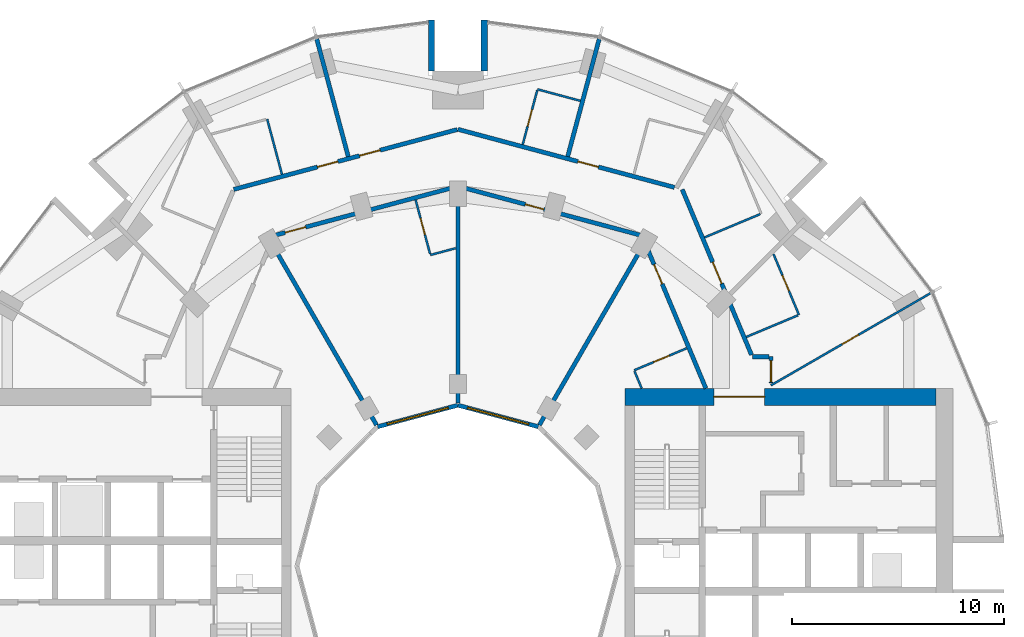
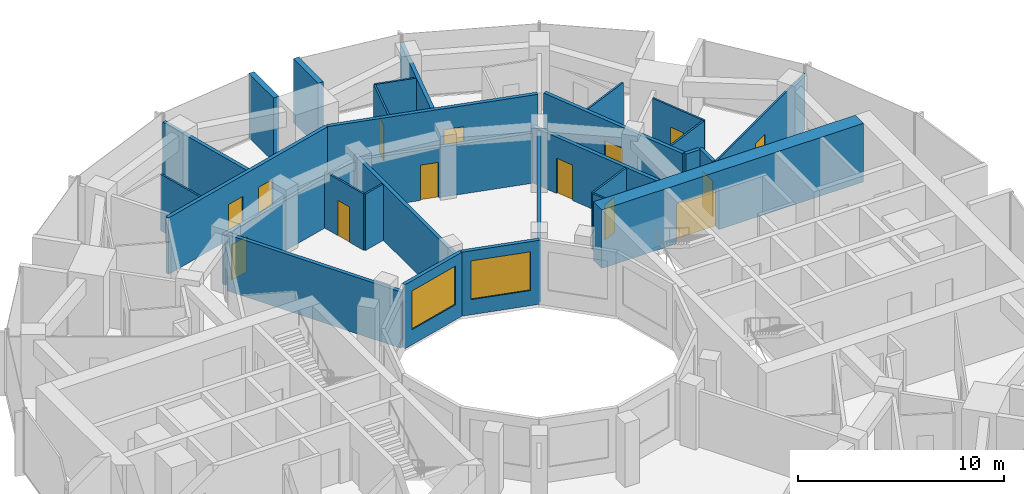
# One storey, part 12 of 15: 29 walls, 14 doors, 2 windows, 16 openings.
"""IFC4 building model written with IfcOpenShell, lengths in metres."""

from ifc_helpers import new_model, si_unit, direction, frame, frame_2d, origin, place, context, subcontext, project, spatial, rectangle, extrude, material, layer, layer_set, type_object, element, fill, save


model = new_model("IFC4")

# Units and contexts
model_context = context("Model", 3, precision=1e-05, world=origin(), true_north=direction((0.0, 1.0)))
body_context = subcontext(model_context, "Body", "Model", "MODEL_VIEW")
ifc_project = project(units=[si_unit("LENGTHUNIT", "METRE"), si_unit("AREAUNIT", "SQUARE_METRE"), si_unit("VOLUMEUNIT", "CUBIC_METRE"), si_unit("PLANEANGLEUNIT", "RADIAN"), si_unit("MASSUNIT", "GRAM", prefix="KILO")], contexts=[model_context])

# Site, building, storey
site_placement = place(None, origin())
site = spatial("IfcSite", under=ifc_project, at=site_placement, CompositionType="ELEMENT")
building_placement = place(site_placement, origin())
building = spatial("IfcBuilding", under=site, at=building_placement, Name="Torre Brocal", CompositionType="ELEMENT")
storey_placement = place(building_placement, frame((0.0, 0.0, 82.39990234375)))
storey = spatial("IfcBuildingStorey", under=building, at=storey_placement, Name="L18", CompositionType="ELEMENT", Elevation=82.39990234375)

# Wall, opening, door
ifc_material_1 = material(Name="Concrete C80", Category="concrete")
ifc_layer_1 = layer(ifc_material_1, 0.800048828125)
ifc_layer_set_1 = layer_set([ifc_layer_1], Name="Concrete C80")
wall_type_1 = type_object("IfcWallType", Name="CORE WALL 800 C80", PredefinedType="SHEAR", material=ifc_layer_set_1)
wall_1_placement = place(storey_placement, frame((87.89990234375, 83.0, 0.0), z_axis=(0.0, 0.0, 1.0), x_axis=(1.0, 0.0, 0.0)))
wall_1 = element("IfcWall", 1, at=wall_1_placement, inside=storey, type_object=wall_type_1, Name="Wall CW800-80", PredefinedType="SHEAR", context=body_context, shape_type="SweptSolid", body=[
    extrude(rectangle(XDim=14.7001953125, YDim=0.800048828125, at=frame_2d((7.35009765625, 0.0))), origin(), (0.0, 0.0, 1.0), 3.47998046875),
])
opening_1_placement = place(wall_1_placement, frame((4.199951171875, 0.0, 0.0)))
opening_1 = element("IfcOpeningElement", 2, at=opening_1_placement, cuts=wall_1, Name="Opening E-D24", PredefinedType="OPENING", context=body_context, shape_type="SweptSolid", body=[
    extrude(rectangle(XDim=2.39990234375, YDim=2.39990234375, at=frame_2d((1.199951171875, 1.199951171875))), frame((0.0, 0.409912109375, 0.0), z_axis=(0.0, -1.0, 0.0), x_axis=(1.0, 0.0, 0.0)), (0.0, 0.0, 1.0), 0.820068359375),
])
ifc_material_2 = material(Name="Steel A653", Category="steel")
door_type_1 = type_object("IfcDoorType", Name="DOUBLE FIRE DOOR FD90 2400X2400", OperationType="DOUBLE_DOOR_SINGLE_SWING", PredefinedType="DOOR", material=ifc_material_2)
door_1_placement = place(opening_1_placement, frame((2.39990234375, 0.0, 0.0), z_axis=(0.0, 0.0, 1.0), x_axis=(-1.0, 0.0, 0.0)))
door_1 = element("IfcDoor", 3, at=door_1_placement, inside=storey, type_object=door_type_1, Name="Door E-D24", OperationType="DOUBLE_DOOR_SINGLE_SWING", OverallHeight=2.39990234375, OverallWidth=2.39990234375, PredefinedType="DOOR", context=body_context, shape_type="SweptSolid", body=[
    extrude(rectangle(XDim=2.39990234375, YDim=2.39990234375, at=frame_2d((1.199951171875, 1.199951171875))), frame((0.0, 0.02490234375, 0.0), z_axis=(0.0, -1.0, 0.0), x_axis=(1.0, 0.0, 0.0)), (0.0, 0.0, 1.0), 0.050048828125),
])
fill(opening_1, door_1)

# Walls
ifc_material_3 = material(Name="Concrete C80", Category="concrete")
ifc_layer_2 = layer(ifc_material_3, 0.300048828125)
ifc_layer_set_2 = layer_set([ifc_layer_2], Name="Concrete C80")
wall_type_2 = type_object("IfcWallType", Name="NOTCH RETURN WALL 300 C80", PredefinedType="NOTDEFINED", material=ifc_layer_set_2)
for number, where, z_axis, x_axis, name in (
    (4, (81.25, 98.39990234375, 0.0), (0.0, 0.0, 1.0), (0.0, 1.0, 0.0), "NOTCH RETURN WALL"),
    (5, (78.75, 98.39990234375, 0.0), (0.0, 0.0, 1.0), (0.0, 1.0, 0.0), "NOTCH RETURN WALL"),
):
    element("IfcWall", number, at=place(storey_placement, frame(where, z_axis=z_axis, x_axis=x_axis)), inside=storey, type_object=wall_type_2, Name=name, PredefinedType="NOTDEFINED", context=body_context, shape_type="SweptSolid", body=[
        extrude(rectangle(XDim=2.415771484375, YDim=0.300048828125, at=frame_2d((1.2080078125, 0.0))), origin(), (0.0, 0.0, 1.0), 3.800048828125),
    ])
ifc_material_4 = material(Name="Gypsum board", Category="Gypsum")
ifc_layer_3 = layer(ifc_material_4, 0.10009765625)
ifc_layer_set_3 = layer_set([ifc_layer_3], Name="Gypsum board")
wall_type_3 = type_object("IfcWallType", Name="PARTITION 100", PredefinedType="PARTITIONING", material=ifc_layer_set_3)
wall_2_placement = place(storey_placement, frame((70.98095703125, 96.1279296875, 0.0), z_axis=(0.0, 0.0, 1.0), x_axis=(0.25867580527, -0.965964195904, 0.0)))
element("IfcWall", 6, at=wall_2_placement, inside=storey, type_object=wall_type_3, Name="BATHROOM WALL", PredefinedType="PARTITIONING", context=body_context, shape_type="SweptSolid", body=[
    extrude(rectangle(XDim=2.69921875, YDim=0.10009765625, at=frame_2d((1.349609375, 0.0))), origin(), (0.0, 0.0, 1.0), 3.35009765625),
])

# Wall, opening, door
wall_3_placement = place(storey_placement, frame((77.997802734375, 92.314208984375, 0.0), z_axis=(0.0, 0.0, 1.0), x_axis=(0.258608674509, -0.965982170368, 0.0)))
wall_3 = element("IfcWall", 7, at=wall_3_placement, inside=storey, type_object=wall_type_3, Name="BATHROOM WALL", PredefinedType="PARTITIONING", context=body_context, shape_type="SweptSolid", body=[
    extrude(rectangle(XDim=2.64990234375, YDim=0.10009765625, at=frame_2d((1.324951171875, 0.0))), origin(), (0.0, 0.0, 1.0), 3.35009765625),
])
opening_2_placement = place(wall_3_placement, frame((0.89990234375, 0.0, 0.0)))
opening_2 = element("IfcOpeningElement", 8, at=opening_2_placement, cuts=wall_3, Name="Opening H05-D21", PredefinedType="OPENING", context=body_context, shape_type="SweptSolid", body=[
    extrude(rectangle(XDim=0.800048828125, YDim=2.10009765625, at=frame_2d((0.39990234375, 1.050048828125))), frame((0.0, 0.06005859375, 0.0), z_axis=(0.0, -1.0, 0.0), x_axis=(1.0, 0.0, 0.0)), (0.0, 0.0, 1.0), 0.1201171875),
])
ifc_material_5 = material(Name="Timber", Category="wood")
door_type_2 = type_object("IfcDoorType", Name="BATHROOM DOOR 800X2100", OperationType="SINGLE_SWING_LEFT", PredefinedType="DOOR", material=ifc_material_5)
door_2_placement = place(opening_2_placement, origin())
door_2 = element("IfcDoor", 9, at=door_2_placement, inside=storey, type_object=door_type_2, Name="H05-D21", OperationType="SINGLE_SWING_LEFT", OverallHeight=2.10009765625, OverallWidth=0.800048828125, PredefinedType="DOOR", context=body_context, shape_type="SweptSolid", body=[
    extrude(rectangle(XDim=0.800048828125, YDim=2.10009765625, at=frame_2d((0.39990234375, 1.050048828125))), frame((0.0, 0.02490234375, 0.0), z_axis=(0.0, -1.0, 0.0), x_axis=(1.0, 0.0, 0.0)), (0.0, 0.0, 1.0), 0.050048828125),
])
fill(opening_2, door_2)

# Wall
wall_4_placement = place(storey_placement, frame((78.696044921875, 89.7060546875, 0.0), z_axis=(0.0, 0.0, 1.0), x_axis=(0.966002513606, 0.258532674351, 0.0)))
element("IfcWall", 10, at=wall_4_placement, inside=storey, type_object=wall_type_3, Name="BATHROOM WALL", PredefinedType="PARTITIONING", context=body_context, shape_type="SweptSolid", body=[
    extrude(rectangle(XDim=1.239990234375, YDim=0.10009765625, at=frame_2d((0.6201171875, 0.0))), origin(), (0.0, 0.0, 1.0), 3.35009765625),
])

# Wall, opening, door
wall_5_placement = place(storey_placement, frame((83.06201171875, 94.92919921875, 0.0), z_axis=(0.0, 0.0, 1.0), x_axis=(0.258889588814, 0.965906921398, 0.0)))
wall_5 = element("IfcWall", 11, at=wall_5_placement, inside=storey, type_object=wall_type_3, Name="BATHROOM WALL", PredefinedType="PARTITIONING", context=body_context, shape_type="SweptSolid", body=[
    extrude(rectangle(XDim=2.64990234375, YDim=0.10009765625, at=frame_2d((1.324951171875, 0.0))), origin(), (0.0, 0.0, 1.0), 3.35009765625),
])
opening_3_placement = place(wall_5_placement, frame((0.899658203125, 0.0, 0.0)))
opening_3 = element("IfcOpeningElement", 12, at=opening_3_placement, cuts=wall_5, Name="Opening H05-D09", PredefinedType="OPENING", context=body_context, shape_type="SweptSolid", body=[
    extrude(rectangle(XDim=0.800048828125, YDim=2.10009765625, at=frame_2d((0.39990234375, 1.050048828125))), frame((0.0, 0.06005859375, 0.0), z_axis=(0.0, -1.0, 0.0), x_axis=(1.0, 0.0, 0.0)), (0.0, 0.0, 1.0), 0.1201171875),
])
door_3_placement = place(opening_3_placement, frame((0.800048828125, 0.0, 0.0), z_axis=(0.0, 0.0, 1.0), x_axis=(-1.0, 0.0, 0.0)))
door_3 = element("IfcDoor", 13, at=door_3_placement, inside=storey, type_object=door_type_2, Name="H05-D09", OperationType="SINGLE_SWING_RIGHT", OverallHeight=2.10009765625, OverallWidth=0.800048828125, PredefinedType="DOOR", context=body_context, shape_type="SweptSolid", body=[
    extrude(rectangle(XDim=0.800048828125, YDim=2.10009765625, at=frame_2d((0.39990234375, 1.050048828125))), frame((0.0, 0.02490234375, 0.0), z_axis=(0.0, -1.0, 0.0), x_axis=(1.0, 0.0, 0.0)), (0.0, 0.0, 1.0), 0.050048828125),
])
fill(opening_3, door_3)

# Walls
wall_6_placement = place(storey_placement, frame((83.76123046875, 97.53759765625, 0.0), z_axis=(0.0, 0.0, 1.0), x_axis=(0.965871218513, -0.259022758166, 0.0)))
element("IfcWall", 14, at=wall_6_placement, inside=storey, type_object=wall_type_3, Name="BATHROOM WALL", PredefinedType="PARTITIONING", context=body_context, shape_type="SweptSolid", body=[
    extrude(rectangle(XDim=2.10009765625, YDim=0.10009765625, at=frame_2d((1.050048828125, 0.0))), origin(), (0.0, 0.0, 1.0), 3.35009765625),
])
wall_7_placement = place(storey_placement, frame((88.348388671875, 84.208984375, 0.0), z_axis=(0.0, 0.0, 1.0), x_axis=(0.386077497504, -0.922466349479, 0.0)))
element("IfcWall", 15, at=wall_7_placement, inside=storey, type_object=wall_type_3, Name="BATHROOM WALL", PredefinedType="PARTITIONING", context=body_context, shape_type="SweptSolid", body=[
    extrude(rectangle(XDim=0.877197265625, YDim=0.10009765625, at=frame_2d((0.4384765625, 0.0))), origin(), (0.0, 0.0, 1.0), 3.35009765625),
])

# Wall, opening, door
wall_8_placement = place(storey_placement, frame((88.3291015625, 84.2548828125, 0.0), z_axis=(0.0, 0.0, 1.0), x_axis=(0.922320663728, 0.386425404522, 0.0)))
wall_8 = element("IfcWall", 16, at=wall_8_placement, inside=storey, type_object=wall_type_3, Name="BATHROOM WALL", PredefinedType="PARTITIONING", context=body_context, shape_type="SweptSolid", body=[
    extrude(rectangle(XDim=2.690185546875, YDim=0.10009765625, at=frame_2d((1.34521484375, 0.0))), origin(), (0.0, 0.0, 1.0), 3.35009765625),
])
opening_4_placement = place(wall_8_placement, frame((1.000244140625, 0.0, 0.0)))
opening_4 = element("IfcOpeningElement", 17, at=opening_4_placement, cuts=wall_8, Name="Opening H05-D18", PredefinedType="OPENING", context=body_context, shape_type="SweptSolid", body=[
    extrude(rectangle(XDim=0.800048828125, YDim=2.10009765625, at=frame_2d((0.39990234375, 1.050048828125))), frame((0.0, 0.06005859375, 0.0), z_axis=(0.0, -1.0, 0.0), x_axis=(1.0, 0.0, 0.0)), (0.0, 0.0, 1.0), 0.1201171875),
])
door_4_placement = place(opening_4_placement, frame((0.800048828125, 0.0, 0.0), z_axis=(0.0, 0.0, 1.0), x_axis=(-1.0, 0.0, 0.0)))
door_4 = element("IfcDoor", 18, at=door_4_placement, inside=storey, type_object=door_type_2, Name="H05-D18", OperationType="SINGLE_SWING_LEFT", OverallHeight=2.10009765625, OverallWidth=0.800048828125, PredefinedType="DOOR", context=body_context, shape_type="SweptSolid", body=[
    extrude(rectangle(XDim=0.800048828125, YDim=2.10009765625, at=frame_2d((0.39990234375, 1.050048828125))), frame((0.0, 0.02490234375, 0.0), z_axis=(0.0, -1.0, 0.0), x_axis=(1.0, 0.0, 0.0)), (0.0, 0.0, 1.0), 0.050048828125),
])
fill(opening_4, door_4)

# Walls
wall_9_placement = place(storey_placement, frame((91.6611328125, 90.53759765625, 0.0), z_axis=(0.0, 0.0, 1.0), x_axis=(0.922352973625, 0.386348278169, 0.0)))
element("IfcWall", 19, at=wall_9_placement, inside=storey, type_object=wall_type_3, Name="BATHROOM WALL", PredefinedType="PARTITIONING", context=body_context, shape_type="SweptSolid", body=[
    extrude(rectangle(XDim=2.849853515625, YDim=0.10009765625, at=frame_2d((1.4248046875, 0.0))), origin(), (0.0, 0.0, 1.0), 3.35009765625),
])
wall_10_placement = place(storey_placement, frame((93.632568359375, 85.830810546875, 0.0), z_axis=(0.0, 0.0, 1.0), x_axis=(0.922344808264, 0.38636777126, 0.0)))
element("IfcWall", 20, at=wall_10_placement, inside=storey, type_object=wall_type_3, Name="BATHROOM WALL", PredefinedType="PARTITIONING", context=body_context, shape_type="SweptSolid", body=[
    extrude(rectangle(XDim=2.650146484375, YDim=0.10009765625, at=frame_2d((1.3251953125, 0.0))), origin(), (0.0, 0.0, 1.0), 3.35009765625),
])

# Wall, opening, door
wall_11_placement = place(storey_placement, frame((94.800048828125, 83.544921875, 0.0), z_axis=(0.0, 0.0, 1.0), x_axis=(0.86602264145, 0.500004784474, 0.0)))
wall_11 = element("IfcWall", 21, at=wall_11_placement, inside=storey, type_object=wall_type_3, Name="ROOM PARTITION", PredefinedType="PARTITIONING", context=body_context, shape_type="SweptSolid", body=[
    extrude(rectangle(XDim=8.7080078125, YDim=0.10009765625, at=frame_2d((4.35400390625, 0.0))), origin(), (0.0, 0.0, 1.0), 3.35009765625),
])
opening_5_placement = place(wall_11_placement, frame((3.87890625, 0.0, 0.0)))
opening_5 = element("IfcOpeningElement", 22, at=opening_5_placement, cuts=wall_11, Name="Opening H05-D03", PredefinedType="OPENING", context=body_context, shape_type="SweptSolid", body=[
    extrude(rectangle(XDim=0.89990234375, YDim=2.10009765625, at=frame_2d((0.449951171875, 1.050048828125))), frame((0.0, 0.06005859375, 0.0), z_axis=(0.0, -1.0, 0.0), x_axis=(1.0, 0.0, 0.0)), (0.0, 0.0, 1.0), 0.1201171875),
])
ifc_material_6 = material(Name="Timber", Category="wood")
door_type_3 = type_object("IfcDoorType", Name="ROOM DOOR 900X2100", OperationType="SINGLE_SWING_LEFT", PredefinedType="DOOR", material=ifc_material_6)
door_5_placement = place(opening_5_placement, frame((0.89990234375, 0.0, 0.0), z_axis=(0.0, 0.0, 1.0), x_axis=(-1.0, 0.0, 0.0)))
door_5 = element("IfcDoor", 23, at=door_5_placement, inside=storey, type_object=door_type_3, Name="H05-D03", OperationType="SINGLE_SWING_RIGHT", OverallHeight=2.10009765625, OverallWidth=0.89990234375, PredefinedType="DOOR", context=body_context, shape_type="SweptSolid", body=[
    extrude(rectangle(XDim=0.89990234375, YDim=2.10009765625, at=frame_2d((0.449951171875, 1.050048828125))), frame((0.0, 0.02490234375, 0.0), z_axis=(0.0, -1.0, 0.0), x_axis=(1.0, 0.0, 0.0)), (0.0, 0.0, 1.0), 0.050048828125),
])
fill(opening_5, door_5)

wall_12_placement = place(storey_placement, frame((94.919189453125, 89.748046875, 0.0), z_axis=(0.0, 0.0, 1.0), x_axis=(0.38635048828, -0.922352047868, 0.0)))
wall_12 = element("IfcWall", 24, at=wall_12_placement, inside=storey, type_object=wall_type_3, Name="BATHROOM WALL", PredefinedType="PARTITIONING", context=body_context, shape_type="SweptSolid", body=[
    extrude(rectangle(XDim=3.115966796875, YDim=0.10009765625, at=frame_2d((1.55810546875, 0.0))), origin(), (0.0, 0.0, 1.0), 3.35009765625),
])
opening_6_placement = place(wall_12_placement, frame((1.093017578125, 0.0, 0.0)))
opening_6 = element("IfcOpeningElement", 25, at=opening_6_placement, cuts=wall_12, Name="Opening H05-D02", PredefinedType="OPENING", context=body_context, shape_type="SweptSolid", body=[
    extrude(rectangle(XDim=0.800048828125, YDim=2.10009765625, at=frame_2d((0.39990234375, 1.050048828125))), frame((0.0, 0.06005859375, 0.0), z_axis=(0.0, -1.0, 0.0), x_axis=(1.0, 0.0, 0.0)), (0.0, 0.0, 1.0), 0.1201171875),
])
door_6_placement = place(opening_6_placement, frame((0.800048828125, 0.0, 0.0), z_axis=(0.0, 0.0, 1.0), x_axis=(-1.0, 0.0, 0.0)))
door_6 = element("IfcDoor", 26, at=door_6_placement, inside=storey, type_object=door_type_2, Name="H05-D02", OperationType="SINGLE_SWING_RIGHT", OverallHeight=2.10009765625, OverallWidth=0.800048828125, PredefinedType="DOOR", context=body_context, shape_type="SweptSolid", body=[
    extrude(rectangle(XDim=0.800048828125, YDim=2.10009765625, at=frame_2d((0.39990234375, 1.050048828125))), frame((0.0, 0.02490234375, 0.0), z_axis=(0.0, -1.0, 0.0), x_axis=(1.0, 0.0, 0.0)), (0.0, 0.0, 1.0), 0.050048828125),
])
fill(opening_6, door_6)

# Wall, openings, doors
ifc_material_7 = material(Name="Gypsum board", Category="Gypsum")
ifc_layer_4 = layer(ifc_material_7, 0.199951171875)
ifc_layer_set_4 = layer_set([ifc_layer_4], Name="Gypsum board")
wall_type_4 = type_object("IfcWallType", Name="PARTITION 200 EI60", PredefinedType="PARTITIONING", material=ifc_layer_set_4)
wall_13_placement = place(storey_placement, frame((69.39697265625, 92.805419921875, 0.0), z_axis=(0.0, 0.0, 1.0), x_axis=(0.96596468683, 0.258673972015, 0.0)))
wall_13 = element("IfcWall", 27, at=wall_13_placement, inside=storey, type_object=wall_type_4, Name="GUESTROOM CORRIDOR WALL", PredefinedType="PARTITIONING", context=body_context, shape_type="SweptSolid", body=[
    extrude(rectangle(XDim=10.93701171875, YDim=0.199951171875, at=frame_2d((5.468505859375, 0.0))), origin(), (0.0, 0.0, 1.0), 3.35009765625),
])
opening_7_placement = place(wall_13_placement, frame((6.163330078125, 0.0, 0.0)))
opening_7 = element("IfcOpeningElement", 28, at=opening_7_placement, cuts=wall_13, Name="Opening H05-D08", PredefinedType="OPENING", context=body_context, shape_type="SweptSolid", body=[
    extrude(rectangle(XDim=1.0, YDim=2.10009765625, at=frame_2d((0.5, 1.050048828125))), frame((0.0, 0.10986328125, 0.0), z_axis=(0.0, -1.0, 0.0), x_axis=(1.0, 0.0, 0.0)), (0.0, 0.0, 1.0), 0.219970703125),
])
opening_8_placement = place(wall_13_placement, frame((4.1025390625, 0.0, 0.0)))
opening_8 = element("IfcOpeningElement", 29, at=opening_8_placement, cuts=wall_13, Name="Opening H05-D10", PredefinedType="OPENING", context=body_context, shape_type="SweptSolid", body=[
    extrude(rectangle(XDim=1.0, YDim=2.10009765625, at=frame_2d((0.5, 1.050048828125))), frame((0.0, 0.10986328125, 0.0), z_axis=(0.0, -1.0, 0.0), x_axis=(1.0, 0.0, 0.0)), (0.0, 0.0, 1.0), 0.219970703125),
])
ifc_material_8 = material(Name="Timber", Category="wood")
door_type_4 = type_object("IfcDoorType", Name="FLAT ENTRY DOOR FD30S 1000X2100", OperationType="SINGLE_SWING_RIGHT", PredefinedType="DOOR", material=ifc_material_8)
door_7_placement = place(opening_7_placement, origin())
door_7 = element("IfcDoor", 30, at=door_7_placement, inside=storey, type_object=door_type_4, Name="H05-D08", OperationType="SINGLE_SWING_LEFT", OverallHeight=2.10009765625, OverallWidth=1.0, PredefinedType="DOOR", context=body_context, shape_type="SweptSolid", body=[
    extrude(rectangle(XDim=1.0, YDim=2.10009765625, at=frame_2d((0.5, 1.050048828125))), frame((0.0, 0.02490234375, 0.0), z_axis=(0.0, -1.0, 0.0), x_axis=(1.0, 0.0, 0.0)), (0.0, 0.0, 1.0), 0.050048828125),
])
fill(opening_7, door_7)
door_8_placement = place(opening_8_placement, origin())
door_8 = element("IfcDoor", 31, at=door_8_placement, inside=storey, type_object=door_type_4, Name="H05-D10", OperationType="SINGLE_SWING_RIGHT", OverallHeight=2.10009765625, OverallWidth=1.0, PredefinedType="DOOR", context=body_context, shape_type="SweptSolid", body=[
    extrude(rectangle(XDim=1.0, YDim=2.10009765625, at=frame_2d((0.5, 1.050048828125))), frame((0.0, 0.02490234375, 0.0), z_axis=(0.0, -1.0, 0.0), x_axis=(1.0, 0.0, 0.0)), (0.0, 0.0, 1.0), 0.050048828125),
])
fill(opening_8, door_8)

# Walls
wall_14_placement = place(storey_placement, frame((71.263671875, 90.135498046875, 0.0), z_axis=(0.0, 0.0, 1.0), x_axis=(0.499791624077, -0.866145676259, 0.0)))
element("IfcWall", 32, at=wall_14_placement, inside=storey, type_object=wall_type_4, Name="PARTY PARTITION", PredefinedType="PARTITIONING", context=body_context, shape_type="SweptSolid", body=[
    extrude(rectangle(XDim=9.777587890625, YDim=0.199951171875, at=frame_2d((4.888671875, 0.0))), origin(), (0.0, 0.0, 1.0), 3.35009765625),
])
wall_15_placement = place(storey_placement, frame((73.324951171875, 99.918701171875, 0.0), z_axis=(0.0, 0.0, 1.0), x_axis=(0.25871346471, -0.965954110286, 0.0)))
element("IfcWall", 33, at=wall_15_placement, inside=storey, type_object=wall_type_4, Name="PARTY PARTITION", PredefinedType="PARTITIONING", context=body_context, shape_type="SweptSolid", body=[
    extrude(rectangle(XDim=5.75439453125, YDim=0.199951171875, at=frame_2d((2.877197265625, 0.0))), origin(), (0.0, 0.0, 1.0), 3.35009765625),
])
wall_16_placement = place(storey_placement, frame((80.0, 82.698974609375, 0.0), z_axis=(0.0, 0.0, 1.0), x_axis=(0.0, 1.0, 0.0)))
element("IfcWall", 34, at=wall_16_placement, inside=storey, type_object=wall_type_4, Name="BATHROOM WALL", PredefinedType="PARTITIONING", context=body_context, shape_type="SweptSolid", body=[
    extrude(rectangle(XDim=10.125, YDim=0.199951171875, at=frame_2d((5.0625, 0.0))), origin(), (0.0, 0.0, 1.0), 3.35009765625),
])

# Wall, opening, door
wall_17_placement = place(storey_placement, frame((80.00048828125, 95.647705078125, 0.0), z_axis=(0.0, 0.0, 1.0), x_axis=(0.965852259202, -0.259093445292, 0.0)))
wall_17 = element("IfcWall", 35, at=wall_17_placement, inside=storey, type_object=wall_type_4, Name="GUESTROOM CORRIDOR WALL", PredefinedType="PARTITIONING", context=body_context, shape_type="SweptSolid", body=[
    extrude(rectangle(XDim=10.596923828125, YDim=0.199951171875, at=frame_2d((5.29833984375, 0.0))), origin(), (0.0, 0.0, 1.0), 3.35009765625),
])
opening_9_placement = place(wall_17_placement, frame((5.87451171875, 0.0, 0.0)))
opening_9 = element("IfcOpeningElement", 36, at=opening_9_placement, cuts=wall_17, Name="Opening H05-D06", PredefinedType="OPENING", context=body_context, shape_type="SweptSolid", body=[
    extrude(rectangle(XDim=1.0, YDim=2.10009765625, at=frame_2d((0.5, 1.050048828125))), frame((0.0, 0.10986328125, 0.0), z_axis=(0.0, -1.0, 0.0), x_axis=(1.0, 0.0, 0.0)), (0.0, 0.0, 1.0), 0.219970703125),
])
door_9_placement = place(opening_9_placement, origin())
door_9 = element("IfcDoor", 37, at=door_9_placement, inside=storey, type_object=door_type_4, Name="H05-D06", OperationType="SINGLE_SWING_LEFT", OverallHeight=2.10009765625, OverallWidth=1.0, PredefinedType="DOOR", context=body_context, shape_type="SweptSolid", body=[
    extrude(rectangle(XDim=1.0, YDim=2.10009765625, at=frame_2d((0.5, 1.050048828125))), frame((0.0, 0.02490234375, 0.0), z_axis=(0.0, -1.0, 0.0), x_axis=(1.0, 0.0, 0.0)), (0.0, 0.0, 1.0), 0.050048828125),
])
fill(opening_9, door_9)

# Walls
wall_18_placement = place(storey_placement, frame((83.849853515625, 81.66650390625, 0.0), z_axis=(0.0, 0.0, 1.0), x_axis=(0.500222212082, 0.865897071562, 0.0)))
element("IfcWall", 38, at=wall_18_placement, inside=storey, type_object=wall_type_4, Name="SERVICE ROOM WALL", PredefinedType="PARTITIONING", context=body_context, shape_type="SweptSolid", body=[
    extrude(rectangle(XDim=9.767578125, YDim=0.199951171875, at=frame_2d((4.8837890625, 0.0))), origin(), (0.0, 0.0, 1.0), 3.35009765625),
])
wall_19_placement = place(storey_placement, frame((85.188232421875, 94.359619140625, 0.0), z_axis=(0.0, 0.0, 1.0), x_axis=(0.258882407816, 0.965908846074, 0.0)))
element("IfcWall", 39, at=wall_19_placement, inside=storey, type_object=wall_type_4, Name="BATHROOM WALL", PredefinedType="PARTITIONING", context=body_context, shape_type="SweptSolid", body=[
    extrude(rectangle(XDim=5.754638671875, YDim=0.199951171875, at=frame_2d((2.87744140625, 0.0))), origin(), (0.0, 0.0, 1.0), 3.35009765625),
])

# Wall, opening, door
wall_20_placement = place(storey_placement, frame((88.69775390625, 90.624267578125, 0.0), z_axis=(0.0, 0.0, 1.0), x_axis=(0.386027055918, -0.922487459047, 0.0)))
wall_20 = element("IfcWall", 40, at=wall_20_placement, inside=storey, type_object=wall_type_4, Name="GUESTROOM CORRIDOR WALL", PredefinedType="PARTITIONING", context=body_context, shape_type="SweptSolid", body=[
    extrude(rectangle(XDim=7.832275390625, YDim=0.199951171875, at=frame_2d((3.916015625, 0.0))), origin(), (0.0, 0.0, 1.0), 3.35009765625),
])
opening_10_placement = place(wall_20_placement, frame((1.481689453125, 0.0, 0.0)))
opening_10 = element("IfcOpeningElement", 41, at=opening_10_placement, cuts=wall_20, Name="Opening H05-D17", PredefinedType="OPENING", context=body_context, shape_type="SweptSolid", body=[
    extrude(rectangle(XDim=1.0, YDim=2.10009765625, at=frame_2d((0.5, 1.050048828125))), frame((0.0, 0.10986328125, 0.0), z_axis=(0.0, -1.0, 0.0), x_axis=(1.0, 0.0, 0.0)), (0.0, 0.0, 1.0), 0.219970703125),
])
door_10_placement = place(opening_10_placement, frame((1.0, 0.0, 0.0), z_axis=(0.0, 0.0, 1.0), x_axis=(-1.0, 0.0, 0.0)))
door_10 = element("IfcDoor", 42, at=door_10_placement, inside=storey, type_object=door_type_4, Name="H05-D17", OperationType="SINGLE_SWING_RIGHT", OverallHeight=2.10009765625, OverallWidth=1.0, PredefinedType="DOOR", context=body_context, shape_type="SweptSolid", body=[
    extrude(rectangle(XDim=1.0, YDim=2.10009765625, at=frame_2d((0.5, 1.050048828125))), frame((0.0, 0.02490234375, 0.0), z_axis=(0.0, -1.0, 0.0), x_axis=(1.0, 0.0, 0.0)), (0.0, 0.0, 1.0), 0.050048828125),
])
fill(opening_10, door_10)

wall_21_placement = place(storey_placement, frame((90.603515625, 92.80517578125, 0.0), z_axis=(0.0, 0.0, 1.0), x_axis=(0.386209298583, -0.922411176042, 0.0)))
wall_21 = element("IfcWall", 43, at=wall_21_placement, inside=storey, type_object=wall_type_4, Name="GUESTROOM CORRIDOR WALL", PredefinedType="PARTITIONING", context=body_context, shape_type="SweptSolid", body=[
    extrude(rectangle(XDim=8.480224609375, YDim=0.199951171875, at=frame_2d((4.240234375, 0.0))), origin(), (0.0, 0.0, 1.0), 3.35009765625),
])
opening_11_placement = place(wall_21_placement, frame((3.722900390625, 0.0, 0.0)))
opening_11 = element("IfcOpeningElement", 44, at=opening_11_placement, cuts=wall_21, Name="Opening H05-D04", PredefinedType="OPENING", context=body_context, shape_type="SweptSolid", body=[
    extrude(rectangle(XDim=1.10009765625, YDim=2.10009765625, at=frame_2d((0.550048828125, 1.050048828125))), frame((0.0, 0.10986328125, 0.0), z_axis=(0.0, -1.0, 0.0), x_axis=(1.0, 0.0, 0.0)), (0.0, 0.0, 1.0), 0.219970703125),
])
ifc_material_9 = material(Name="Timber", Category="wood")
door_type_5 = type_object("IfcDoorType", Name="ACCESSIBLE ENTRY DOOR FD30S 1100X2100", OperationType="SINGLE_SWING_RIGHT", PredefinedType="DOOR", material=ifc_material_9)
door_11_placement = place(opening_11_placement, origin())
door_11 = element("IfcDoor", 45, at=door_11_placement, inside=storey, type_object=door_type_5, Name="H05-D04", OperationType="SINGLE_SWING_RIGHT", OverallHeight=2.10009765625, OverallWidth=1.10009765625, PredefinedType="DOOR", context=body_context, shape_type="SweptSolid", body=[
    extrude(rectangle(XDim=1.10009765625, YDim=2.10009765625, at=frame_2d((0.550048828125, 1.050048828125))), frame((0.0, 0.02490234375, 0.0), z_axis=(0.0, -1.0, 0.0), x_axis=(1.0, 0.0, 0.0)), (0.0, 0.0, 1.0), 0.050048828125),
])
fill(opening_11, door_11)

# Wall
wall_22_placement = place(storey_placement, frame((93.9140625, 84.89990234375, 0.0), z_axis=(0.0, 0.0, 1.0), x_axis=(1.0, 0.0, 0.0)))
element("IfcWall", 46, at=wall_22_placement, inside=storey, type_object=wall_type_4, Name="GUESTROOM CORRIDOR WALL", PredefinedType="PARTITIONING", context=body_context, shape_type="SweptSolid", body=[
    extrude(rectangle(XDim=0.785888671875, YDim=0.199951171875, at=frame_2d((0.39306640625, 0.0))), origin(), (0.0, 0.0, 1.0), 3.35009765625),
])

# Wall, opening, door
wall_23_placement = place(storey_placement, frame((94.800048828125, 83.64990234375, 0.0), z_axis=(0.0, 0.0, 1.0), x_axis=(0.0, 1.0, 0.0)))
wall_23 = element("IfcWall", 47, at=wall_23_placement, inside=storey, type_object=wall_type_4, Name="GUESTROOM CORRIDOR WALL", PredefinedType="PARTITIONING", context=body_context, shape_type="SweptSolid", body=[
    extrude(rectangle(XDim=1.25, YDim=0.199951171875, at=frame_2d((0.625, 0.0))), origin(), (0.0, 0.0, 1.0), 3.35009765625),
])
opening_12_placement = place(wall_23_placement, frame((0.0625, 0.0, 0.0)))
opening_12 = element("IfcOpeningElement", 48, at=opening_12_placement, cuts=wall_23, Name="Opening H05-D01", PredefinedType="OPENING", context=body_context, shape_type="SweptSolid", body=[
    extrude(rectangle(XDim=1.0, YDim=2.10009765625, at=frame_2d((0.5, 1.050048828125))), frame((0.0, 0.10986328125, 0.0), z_axis=(0.0, -1.0, 0.0), x_axis=(1.0, 0.0, 0.0)), (0.0, 0.0, 1.0), 0.219970703125),
])
door_12_placement = place(opening_12_placement, frame((1.0, 0.0, 0.0), z_axis=(0.0, 0.0, 1.0), x_axis=(-1.0, 0.0, 0.0)))
door_12 = element("IfcDoor", 49, at=door_12_placement, inside=storey, type_object=door_type_4, Name="H05-D01", OperationType="SINGLE_SWING_LEFT", OverallHeight=2.10009765625, OverallWidth=1.0, PredefinedType="DOOR", context=body_context, shape_type="SweptSolid", body=[
    extrude(rectangle(XDim=1.0, YDim=2.10009765625, at=frame_2d((0.5, 1.050048828125))), frame((0.0, 0.02490234375, 0.0), z_axis=(0.0, -1.0, 0.0), x_axis=(1.0, 0.0, 0.0)), (0.0, 0.0, 1.0), 0.050048828125),
])
fill(opening_12, door_12)

ifc_material_10 = material(Name="Gypsum board", Category="Gypsum")
ifc_layer_5 = layer(ifc_material_10, 0.199951171875)
ifc_layer_set_5 = layer_set([ifc_layer_5], Name="Gypsum board")
wall_type_5 = type_object("IfcWallType", Name="PARTITION 200 EI60 UNDER BEAM 820", PredefinedType="PARTITIONING", material=ifc_layer_set_5)
wall_24_placement = place(storey_placement, frame((71.302734375, 90.62451171875, 0.0), z_axis=(0.0, 0.0, 1.0), x_axis=(0.965971868307, 0.258647152776, 0.0)))
wall_24 = element("IfcWall", 50, at=wall_24_placement, inside=storey, type_object=wall_type_5, Name="GUESTROOM CORRIDOR WALL", PredefinedType="PARTITIONING", context=body_context, shape_type="SweptSolid", body=[
    extrude(rectangle(XDim=8.873779296875, YDim=0.199951171875, at=frame_2d((4.43701171875, 0.0))), origin(), (0.0, 0.0, 1.0), 2.97998046875),
])
opening_13_placement = place(wall_24_placement, frame((0.550048828125, 0.0, 0.0)))
opening_13 = element("IfcOpeningElement", 51, at=opening_13_placement, cuts=wall_24, Name="Opening H05-D20", PredefinedType="OPENING", context=body_context, shape_type="SweptSolid", body=[
    extrude(rectangle(XDim=1.0, YDim=2.10009765625, at=frame_2d((0.5, 1.050048828125))), frame((0.0, 0.10986328125, 0.0), z_axis=(0.0, -1.0, 0.0), x_axis=(1.0, 0.0, 0.0)), (0.0, 0.0, 1.0), 0.219970703125),
])
door_13_placement = place(opening_13_placement, frame((1.0, 0.0, 0.0), z_axis=(0.0, 0.0, 1.0), x_axis=(-1.0, 0.0, 0.0)))
door_13 = element("IfcDoor", 52, at=door_13_placement, inside=storey, type_object=door_type_4, Name="H05-D20", OperationType="SINGLE_SWING_RIGHT", OverallHeight=2.10009765625, OverallWidth=1.0, PredefinedType="DOOR", context=body_context, shape_type="SweptSolid", body=[
    extrude(rectangle(XDim=1.0, YDim=2.10009765625, at=frame_2d((0.5, 1.050048828125))), frame((0.0, 0.02490234375, 0.0), z_axis=(0.0, -1.0, 0.0), x_axis=(1.0, 0.0, 0.0)), (0.0, 0.0, 1.0), 0.050048828125),
])
fill(opening_13, door_13)

wall_25_placement = place(storey_placement, frame((80.0, 92.9541015625, 0.0), z_axis=(0.0, 0.0, 1.0), x_axis=(0.965932194462, -0.258795277586, 0.0)))
wall_25 = element("IfcWall", 53, at=wall_25_placement, inside=storey, type_object=wall_type_5, Name="CORRIDOR WALL", PredefinedType="PARTITIONING", context=body_context, shape_type="SweptSolid", body=[
    extrude(rectangle(XDim=8.933837890625, YDim=0.199951171875, at=frame_2d((4.466796875, 0.0))), origin(), (0.0, 0.0, 1.0), 2.97998046875),
])
opening_14_placement = place(wall_25_placement, frame((3.302001953125, 0.0, 0.0)))
opening_14 = element("IfcOpeningElement", 54, at=opening_14_placement, cuts=wall_25, Name="Opening H05-D19", PredefinedType="OPENING", context=body_context, shape_type="SweptSolid", body=[
    extrude(rectangle(XDim=0.89990234375, YDim=2.10009765625, at=frame_2d((0.449951171875, 1.050048828125))), frame((0.0, 0.10986328125, 0.0), z_axis=(0.0, -1.0, 0.0), x_axis=(1.0, 0.0, 0.0)), (0.0, 0.0, 1.0), 0.219970703125),
])
door_14_placement = place(opening_14_placement, frame((0.89990234375, 0.0, 0.0), z_axis=(0.0, 0.0, 1.0), x_axis=(-1.0, 0.0, 0.0)))
door_14 = element("IfcDoor", 55, at=door_14_placement, inside=storey, type_object=door_type_3, Name="H05-D19", OperationType="SINGLE_SWING_RIGHT", OverallHeight=2.10009765625, OverallWidth=0.89990234375, PredefinedType="DOOR", context=body_context, shape_type="SweptSolid", body=[
    extrude(rectangle(XDim=0.89990234375, YDim=2.10009765625, at=frame_2d((0.449951171875, 1.050048828125))), frame((0.0, 0.02490234375, 0.0), z_axis=(0.0, -1.0, 0.0), x_axis=(1.0, 0.0, 0.0)), (0.0, 0.0, 1.0), 0.050048828125),
])
fill(opening_14, door_14)

# Wall, opening, window
ifc_material_11 = material(Name="Concrete C40", Category="concrete")
ifc_layer_6 = layer(ifc_material_11, 0.199951171875)
ifc_layer_set_6 = layer_set([ifc_layer_6], Name="Concrete C40")
wall_type_6 = type_object("IfcWallType", Name="WELL FACADE WALL 200", PredefinedType="NOTDEFINED", material=ifc_layer_set_6)
wall_26_placement = place(storey_placement, frame((83.8017578125, 81.5849609375, 0.0), z_axis=(0.0, 0.0, 1.0), x_axis=(-0.965933654434, 0.258789828301, 0.0)))
wall_26 = element("IfcWall", 56, at=wall_26_placement, inside=storey, type_object=wall_type_6, Name="WELL FACADE WALL", PredefinedType="NOTDEFINED", context=body_context, shape_type="SweptSolid", body=[
    extrude(rectangle(XDim=3.935791015625, YDim=0.199951171875, at=frame_2d((1.9677734375, 0.0))), origin(), (0.0, 0.0, 1.0), 3.800048828125),
])
opening_15_placement = place(wall_26_placement, frame((0.468017578125, 0.0, 0.89990234375)))
opening_15 = element("IfcOpeningElement", 57, at=opening_15_placement, cuts=wall_26, Name="Opening W1", PredefinedType="OPENING", context=body_context, shape_type="SweptSolid", body=[
    extrude(rectangle(XDim=3.0, YDim=2.300048828125, at=frame_2d((1.5, 1.14990234375))), frame((0.0, 0.10986328125, 0.0), z_axis=(0.0, -1.0, 0.0), x_axis=(1.0, 0.0, 0.0)), (0.0, 0.0, 1.0), 0.219970703125),
])
ifc_material_12 = material(Name="Aluminium and glass", Category="aluminium")
window_type = type_object("IfcWindowType", Name="WELL WINDOW 3000X2300", PartitioningType="SINGLE_PANEL", PredefinedType="WINDOW", material=ifc_material_12)
window_1_placement = place(opening_15_placement, origin())
window_1 = element("IfcWindow", 58, at=window_1_placement, inside=storey, type_object=window_type, Name="WELL WINDOW 3000X2300", OverallHeight=2.300048828125, OverallWidth=3.0, PartitioningType="SINGLE_PANEL", PredefinedType="WINDOW", context=body_context, shape_type="SweptSolid", body=[
    extrude(rectangle(XDim=3.0, YDim=2.300048828125, at=frame_2d((1.5, 1.14990234375))), frame((0.0, 0.030029296875, 0.0), z_axis=(0.0, -1.0, 0.0), x_axis=(1.0, 0.0, 0.0)), (0.0, 0.0, 1.0), 0.06005859375),
])
fill(opening_15, window_1)

wall_27_placement = place(storey_placement, frame((80.0, 82.603515625, 0.0), z_axis=(0.0, 0.0, 1.0), x_axis=(-0.965933654434, -0.258789828301, 0.0)))
wall_27 = element("IfcWall", 59, at=wall_27_placement, inside=storey, type_object=wall_type_6, Name="WELL FACADE WALL", PredefinedType="NOTDEFINED", context=body_context, shape_type="SweptSolid", body=[
    extrude(rectangle(XDim=3.935791015625, YDim=0.199951171875, at=frame_2d((1.9677734375, 0.0))), origin(), (0.0, 0.0, 1.0), 3.800048828125),
])
opening_16_placement = place(wall_27_placement, frame((0.468017578125, 0.0, 0.89990234375)))
opening_16 = element("IfcOpeningElement", 60, at=opening_16_placement, cuts=wall_27, Name="Opening W1", PredefinedType="OPENING", context=body_context, shape_type="SweptSolid", body=[
    extrude(rectangle(XDim=3.0, YDim=2.300048828125, at=frame_2d((1.5, 1.14990234375))), frame((0.0, 0.10986328125, 0.0), z_axis=(0.0, -1.0, 0.0), x_axis=(1.0, 0.0, 0.0)), (0.0, 0.0, 1.0), 0.219970703125),
])
window_2_placement = place(opening_16_placement, origin())
window_2 = element("IfcWindow", 61, at=window_2_placement, inside=storey, type_object=window_type, Name="WELL WINDOW 3000X2300", OverallHeight=2.300048828125, OverallWidth=3.0, PartitioningType="SINGLE_PANEL", PredefinedType="WINDOW", context=body_context, shape_type="SweptSolid", body=[
    extrude(rectangle(XDim=3.0, YDim=2.300048828125, at=frame_2d((1.5, 1.14990234375))), frame((0.0, 0.030029296875, 0.0), z_axis=(0.0, -1.0, 0.0), x_axis=(1.0, 0.0, 0.0)), (0.0, 0.0, 1.0), 0.06005859375),
])
fill(opening_16, window_2)

save(model, "model.ifc")
